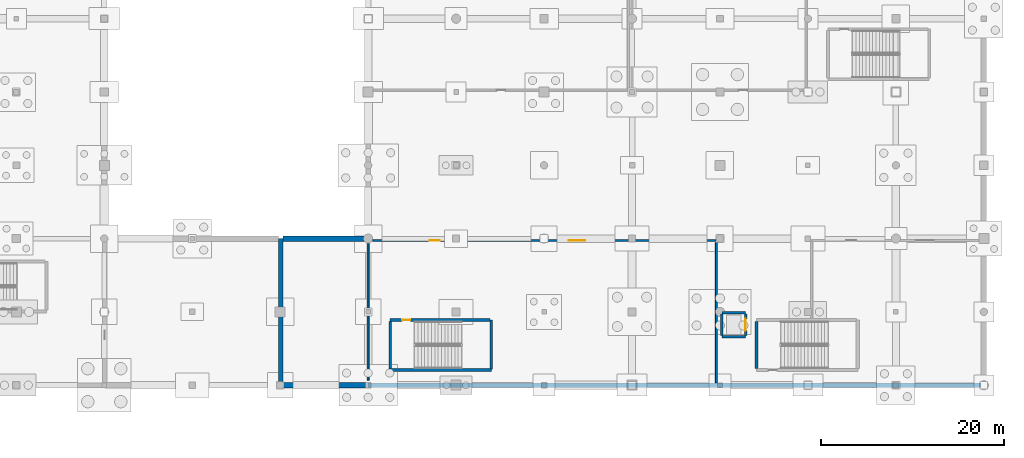
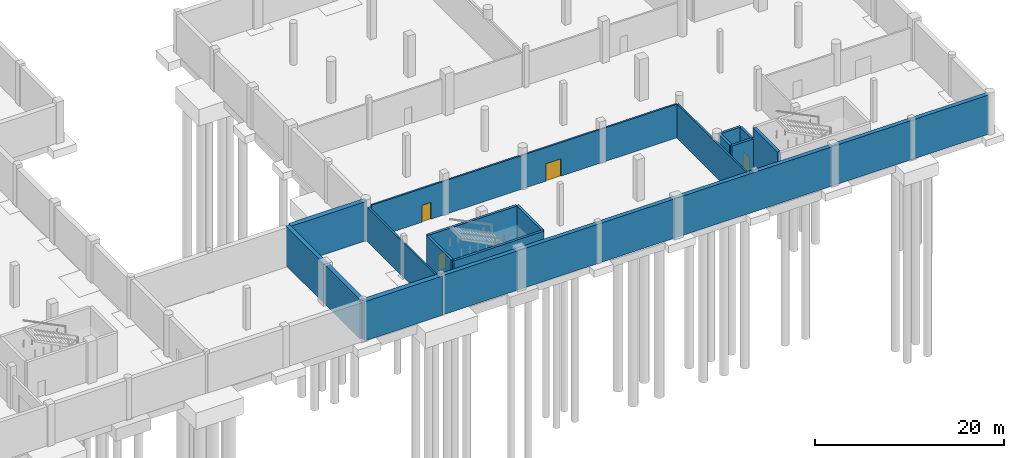
# One storey, part 26 of 44: 16 walls, 4 doors, 4 openings.
"""IFC4 building model written with IfcOpenShell, lengths in metres."""

from ifc_helpers import new_model, si_unit, direction, frame, frame_2d, origin, place, context, subcontext, project, spatial, rectangle, extrude, material, layer, layer_set, type_object, element, fill, save


model = new_model("IFC4")

# Units and contexts
model_context = context("Model", 3, precision=1e-05, world=origin(), true_north=direction((0.0, 1.0)))
body_context = subcontext(model_context, "Body", "Model", "MODEL_VIEW")
ifc_project = project(units=[si_unit("LENGTHUNIT", "METRE"), si_unit("AREAUNIT", "SQUARE_METRE"), si_unit("VOLUMEUNIT", "CUBIC_METRE"), si_unit("PLANEANGLEUNIT", "RADIAN"), si_unit("MASSUNIT", "GRAM", prefix="KILO")], contexts=[model_context])

# Site, building, storey
site_placement = place(None, origin())
site = spatial("IfcSite", under=ifc_project, at=site_placement, CompositionType="ELEMENT")
building_placement = place(site_placement, origin())
building = spatial("IfcBuilding", under=site, at=building_placement, Name="Danafjord Basin Convention Centre", CompositionType="ELEMENT")
storey_placement = place(building_placement, frame((0.0, 0.0, -5.39990234375)))
storey = spatial("IfcBuildingStorey", under=building, at=storey_placement, Name="B1", CompositionType="ELEMENT", Elevation=-5.39990234375)

# Walls
ifc_material_1 = material(Name="Concrete C40/50", Category="concrete")
ifc_layer_1 = layer(ifc_material_1, 0.300048828125)
ifc_layer_set_1 = layer_set([ifc_layer_1], Name="Concrete C40/50")
wall_type_1 = type_object("IfcWallType", Name="WALL-CW-CORE300", PredefinedType="SHEAR", material=ifc_layer_set_1)
wall_1_placement = place(storey_placement, frame((146.39990234375, 9.64990234375, 0.0), z_axis=(0.0, 0.0, 1.0), x_axis=(1.0, 0.0, 0.0)))
element("IfcWall", 1, at=wall_1_placement, inside=storey, type_object=wall_type_1, Name="Harbour Pavilion West Escape Stair core shear wall (south)", PredefinedType="SHEAR", context=body_context, shape_type="SweptSolid", body=[
    extrude(rectangle(XDim=11.0400390625, YDim=0.300048828125, at=frame_2d((5.52001953125, 0.0))), origin(), (0.0, 0.0, 1.0), 5.08984375),
])
wall_2_placement = place(storey_placement, frame((157.43994140625, 9.784912109375, 0.0), z_axis=(0.0, 0.0, 1.0), x_axis=(0.0, 1.0, 0.0)))
element("IfcWall", 2, at=wall_2_placement, inside=storey, type_object=wall_type_1, Name="Harbour Pavilion West Escape Stair core shear wall (east)", PredefinedType="SHEAR", context=body_context, shape_type="SweptSolid", body=[
    extrude(rectangle(XDim=5.3251953125, YDim=0.300048828125, at=frame_2d((2.66259765625, 0.0))), origin(), (0.0, 0.0, 1.0), 5.08984375),
])

# Wall, opening, door
wall_3_placement = place(storey_placement, frame((157.304931640625, 15.110107421875, 0.0), z_axis=(0.0, 0.0, 1.0), x_axis=(-1.0, 0.0, 0.0)))
wall_3 = element("IfcWall", 3, at=wall_3_placement, inside=storey, type_object=wall_type_1, Name="Harbour Pavilion West Escape Stair core shear wall (north)", PredefinedType="SHEAR", context=body_context, shape_type="SweptSolid", body=[
    extrude(rectangle(XDim=10.905029296875, YDim=0.300048828125, at=frame_2d((5.45263671875, 0.0))), origin(), (0.0, 0.0, 1.0), 5.08984375),
])
opening_1_placement = place(wall_3_placement, frame((8.68408203125, 0.0, 0.0)))
opening_1 = element("IfcOpeningElement", 4, at=opening_1_placement, cuts=wall_3, Name="Opening FD-S01", PredefinedType="OPENING", context=body_context, shape_type="SweptSolid", body=[
    extrude(rectangle(XDim=0.909912109375, YDim=2.080078125, at=frame_2d((0.455078125, 1.0400390625))), frame((0.0, 0.159912109375, 0.0), z_axis=(0.0, -1.0, 0.0), x_axis=(1.0, 0.0, 0.0)), (0.0, 0.0, 1.0), 0.320068359375),
])
ifc_material_2 = material(Name="Powder-coated steel and Nordic oak", Category="steel")
door_type_1 = type_object("IfcDoorType", Name="DOOR-FD-S01", OperationType="NOTDEFINED", PredefinedType="DOOR", material=ifc_material_2)
door_1_placement = place(opening_1_placement, origin())
door_1 = element("IfcDoor", 5, at=door_1_placement, inside=storey, type_object=door_type_1, Name="Harbour Pavilion West Escape Stair B1 Fire Exit Door", OperationType="SINGLE_SWING_RIGHT", OverallHeight=2.080078125, OverallWidth=0.909912109375, PredefinedType="DOOR", context=body_context, shape_type="SweptSolid", body=[
    extrude(rectangle(XDim=0.909912109375, YDim=2.080078125, at=frame_2d((0.455078125, 1.0400390625))), frame((0.0, 0.02490234375, 0.0), z_axis=(0.0, -1.0, 0.0), x_axis=(1.0, 0.0, 0.0)), (0.0, 0.0, 1.0), 0.050048828125),
])
fill(opening_1, door_1)

# Walls
wall_4_placement = place(storey_placement, frame((146.39990234375, 14.97509765625, 0.0), z_axis=(0.0, 0.0, 1.0), x_axis=(0.0, -1.0, 0.0)))
element("IfcWall", 6, at=wall_4_placement, inside=storey, type_object=wall_type_1, Name="Harbour Pavilion West Escape Stair core shear wall (west)", PredefinedType="SHEAR", context=body_context, shape_type="SweptSolid", body=[
    extrude(rectangle(XDim=5.190185546875, YDim=0.300048828125, at=frame_2d((2.59521484375, 0.0))), origin(), (0.0, 0.0, 1.0), 5.08984375),
])
for number, where, z_axis, x_axis, name in (
    (7, (185.199951171875, 15.89990234375, 0.0), (0.0, 0.0, 1.0), (-1.0, 0.0, 0.0), "Lift LF-P06 shaft shear wall"),
    (8, (182.60009765625, 13.300048828125, 0.0), (0.0, 0.0, 1.0), (1.0, 0.0, 0.0), "Lift LF-P06 shaft shear wall"),
):
    element("IfcWall", number, at=place(storey_placement, frame(where, z_axis=z_axis, x_axis=x_axis)), inside=storey, type_object=wall_type_1, Name=name, PredefinedType="SHEAR", context=body_context, shape_type="SweptSolid", body=[
        extrude(rectangle(XDim=2.599853515625, YDim=0.300048828125, at=frame_2d((1.2998046875, 0.0))), origin(), (0.0, 0.0, 1.0), 5.08984375),
    ])

# Wall, opening, door
wall_5_placement = place(storey_placement, frame((185.199951171875, 13.43505859375, 0.0), z_axis=(0.0, 0.0, 1.0), x_axis=(0.0, 1.0, 0.0)))
wall_5 = element("IfcWall", 9, at=wall_5_placement, inside=storey, type_object=wall_type_1, Name="Lift LF-P06 shaft shear wall", PredefinedType="SHEAR", context=body_context, shape_type="SweptSolid", body=[
    extrude(rectangle(XDim=2.329833984375, YDim=0.300048828125, at=frame_2d((1.1650390625, 0.0))), origin(), (0.0, 0.0, 1.0), 5.08984375),
])
opening_2_placement = place(wall_5_placement, frame((0.514892578125, 0.0, 0.0)))
opening_2 = element("IfcOpeningElement", 10, at=opening_2_placement, cuts=wall_5, Name="Opening LD-P02", PredefinedType="OPENING", context=body_context, shape_type="SweptSolid", body=[
    extrude(rectangle(XDim=1.300048828125, YDim=2.219970703125, at=frame_2d((0.64990234375, 1.10986328125))), frame((0.0, 0.159912109375, 0.0), z_axis=(0.0, -1.0, 0.0), x_axis=(1.0, 0.0, 0.0)), (0.0, 0.0, 1.0), 0.320068359375),
])
ifc_material_3 = material(Name="Brushed stainless steel and acoustic laminated glass", Category="steel")
door_type_2 = type_object("IfcDoorType", Name="DOOR-LD-P02", OperationType="DOUBLE_DOOR_SLIDING", PredefinedType="DOOR", material=ifc_material_3)
door_2_placement = place(opening_2_placement, origin())
door_2 = element("IfcDoor", 11, at=door_2_placement, inside=storey, type_object=door_type_2, Name="Lift LF-P06 B1 Landing Door", OperationType="DOUBLE_DOOR_SLIDING", OverallHeight=2.219970703125, OverallWidth=1.300048828125, PredefinedType="DOOR", context=body_context, shape_type="SweptSolid", body=[
    extrude(rectangle(XDim=1.300048828125, YDim=2.219970703125, at=frame_2d((0.64990234375, 1.10986328125))), frame((0.0, 0.02490234375, 0.0), z_axis=(0.0, -1.0, 0.0), x_axis=(1.0, 0.0, 0.0)), (0.0, 0.0, 1.0), 0.050048828125),
])
fill(opening_2, door_2)

# Walls
wall_6_placement = place(storey_placement, frame((182.60009765625, 15.764892578125, 0.0), z_axis=(0.0, 0.0, 1.0), x_axis=(0.0, -1.0, 0.0)))
element("IfcWall", 12, at=wall_6_placement, inside=storey, type_object=wall_type_1, Name="Lift LF-P06 shaft shear wall", PredefinedType="SHEAR", context=body_context, shape_type="SweptSolid", body=[
    extrude(rectangle(XDim=2.329833984375, YDim=0.300048828125, at=frame_2d((1.1650390625, 0.0))), origin(), (0.0, 0.0, 1.0), 5.08984375),
])
ifc_material_4 = material(Name="Concrete C45/55", Category="concrete")
ifc_layer_2 = layer(ifc_material_4, 0.35009765625)
ifc_layer_set_2 = layer_set([ifc_layer_2], Name="Concrete C45/55")
wall_type_2 = type_object("IfcWallType", Name="WALL-CW-CORE350", PredefinedType="SHEAR", material=ifc_layer_set_2)
wall_7_placement = place(storey_placement, frame((186.39990234375, 14.949951171875, 0.0), z_axis=(0.0, 0.0, 1.0), x_axis=(0.0, -1.0, 0.0)))
element("IfcWall", 13, at=wall_7_placement, inside=storey, type_object=wall_type_2, Name="Harbour Pavilion Core Stair 1 core shear wall (west)", PredefinedType="SHEAR", context=body_context, shape_type="SweptSolid", body=[
    extrude(rectangle(XDim=5.139892578125, YDim=0.35009765625, at=frame_2d((2.56982421875, 0.0))), origin(), (0.0, 0.0, 1.0), 5.08984375),
])
ifc_layer_3 = layer(ifc_material_1, 0.5)
ifc_layer_set_3 = layer_set([ifc_layer_3], Name="Concrete C40/50")
wall_type_3 = type_object("IfcWallType", Name="WALL-EW-RET500", PredefinedType="SHEAR", material=ifc_layer_set_3)
wall_8_placement = place(storey_placement, frame((210.9150390625, 8.0, 0.0), z_axis=(0.0, 0.0, 1.0), x_axis=(-1.0, 0.0, 0.0)))
element("IfcWall", 14, at=wall_8_placement, inside=storey, type_object=wall_type_3, Name="B1 waterproofed basement retaining wall 8", PredefinedType="SHEAR", context=body_context, shape_type="SweptSolid", body=[
    extrude(rectangle(XDim=66.9150390625, YDim=0.5, at=frame_2d((33.45751953125, 0.0))), origin(), (0.0, 0.0, 1.0), 5.08984375),
])
wall_9_placement = place(storey_placement, frame((134.449951171875, 8.284912109375, 0.0), z_axis=(0.0, 0.0, 1.0), x_axis=(0.0, 1.0, 0.0)))
element("IfcWall", 15, at=wall_9_placement, inside=storey, type_object=wall_type_3, Name="B1 waterproofed basement retaining wall 10", PredefinedType="SHEAR", context=body_context, shape_type="SweptSolid", body=[
    extrude(rectangle(XDim=15.715087890625, YDim=0.5, at=frame_2d((7.857421875, 0.0))), origin(), (0.0, 0.0, 1.0), 5.10986328125),
])
ifc_layer_4 = layer(ifc_material_1, 0.60009765625)
ifc_layer_set_4 = layer_set([ifc_layer_4], Name="Concrete C40/50")
wall_type_4 = type_object("IfcWallType", Name="WALL-EW-RET600", PredefinedType="SHEAR", material=ifc_layer_set_4)
wall_10_placement = place(storey_placement, frame((144.0, 8.0, 0.0), z_axis=(0.0, 0.0, 1.0), x_axis=(-1.0, 0.0, 0.0)))
element("IfcWall", 16, at=wall_10_placement, inside=storey, type_object=wall_type_4, Name="B1 waterproofed basement retaining wall 9", PredefinedType="SHEAR", context=body_context, shape_type="SweptSolid", body=[
    extrude(rectangle(XDim=9.550048828125, YDim=0.60009765625, at=frame_2d((4.77490234375, 0.0))), origin(), (0.0, 0.0, 1.0), 5.08984375),
])
wall_11_placement = place(storey_placement, frame((134.68505859375, 24.0, 0.0), z_axis=(0.0, 0.0, 1.0), x_axis=(1.0, 0.0, 0.0)))
element("IfcWall", 17, at=wall_11_placement, inside=storey, type_object=wall_type_4, Name="B1 waterproofed basement retaining wall 11", PredefinedType="SHEAR", context=body_context, shape_type="SweptSolid", body=[
    extrude(rectangle(XDim=9.31494140625, YDim=0.60009765625, at=frame_2d((4.657470703125, 0.0))), origin(), (0.0, 0.0, 1.0), 5.08984375),
])

# Wall, openings, doors
ifc_material_5 = material(Name="Concrete C35/45", Category="concrete")
ifc_layer_5 = layer(ifc_material_5, 0.205078125)
ifc_layer_set_5 = layer_set([ifc_layer_5], Name="Concrete C35/45")
wall_type_5 = type_object("IfcWallType", Name="WALL-W-COMP205", PredefinedType="SOLIDWALL", material=ifc_layer_set_5)
wall_12_placement = place(storey_placement, frame((181.9599609375, 23.800048828125, 0.0), z_axis=(0.0, 0.0, 1.0), x_axis=(-1.0, 0.0, 0.0)))
wall_12 = element("IfcWall", 18, at=wall_12_placement, inside=storey, type_object=wall_type_5, Name="Central Banquet Production Kitchen north partition", PredefinedType="SOLIDWALL", context=body_context, shape_type="SweptSolid", body=[
    extrude(rectangle(XDim=37.43994140625, YDim=0.205078125, at=frame_2d((18.719970703125, 0.0))), origin(), (0.0, 0.0, 1.0), 4.35986328125),
])
opening_3_placement = place(wall_12_placement, frame((14.248046875, 0.0, 0.0)))
opening_3 = element("IfcOpeningElement", 19, at=opening_3_placement, cuts=wall_12, Name="Opening FD-D04", PredefinedType="OPENING", context=body_context, shape_type="SweptSolid", body=[
    extrude(rectangle(XDim=1.820068359375, YDim=2.260009765625, at=frame_2d((0.91015625, 1.1298828125))), frame((0.0, 0.112548828125, 0.0), z_axis=(0.0, -1.0, 0.0), x_axis=(1.0, 0.0, 0.0)), (0.0, 0.0, 1.0), 0.22509765625),
])
opening_4_placement = place(wall_12_placement, frame((30.169921875, 0.0, 0.0)))
opening_4 = element("IfcOpeningElement", 20, at=opening_4_placement, cuts=wall_12, Name="Opening FD-S07", PredefinedType="OPENING", context=body_context, shape_type="SweptSolid", body=[
    extrude(rectangle(XDim=1.090087890625, YDim=2.179931640625, at=frame_2d((0.544921875, 1.08984375))), frame((0.0, 0.112548828125, 0.0), z_axis=(0.0, -1.0, 0.0), x_axis=(1.0, 0.0, 0.0)), (0.0, 0.0, 1.0), 0.22509765625),
])
door_type_3 = type_object("IfcDoorType", Name="DOOR-FD-D04", OperationType="DOUBLE_DOOR_SINGLE_SWING", PredefinedType="DOOR", material=ifc_material_3)
door_3_placement = place(opening_3_placement, origin())
door_3 = element("IfcDoor", 21, at=door_3_placement, inside=storey, type_object=door_type_3, Name="Central Banquet Production Kitchen Entrance Door", OperationType="DOUBLE_DOOR_SINGLE_SWING", OverallHeight=2.260009765625, OverallWidth=1.820068359375, PredefinedType="DOOR", context=body_context, shape_type="SweptSolid", body=[
    extrude(rectangle(XDim=1.820068359375, YDim=2.260009765625, at=frame_2d((0.91015625, 1.1298828125))), frame((0.0, 0.02490234375, 0.0), z_axis=(0.0, -1.0, 0.0), x_axis=(1.0, 0.0, 0.0)), (0.0, 0.0, 1.0), 0.050048828125),
])
fill(opening_3, door_3)
door_type_4 = type_object("IfcDoorType", Name="DOOR-FD-S07", OperationType="NOTDEFINED", PredefinedType="DOOR", material=ifc_material_2)
door_4_placement = place(opening_4_placement, origin())
door_4 = element("IfcDoor", 22, at=door_4_placement, inside=storey, type_object=door_type_4, Name="Central Banquet Production Kitchen Secondary Exit Door", OperationType="SINGLE_SWING_RIGHT", OverallHeight=2.179931640625, OverallWidth=1.090087890625, PredefinedType="DOOR", context=body_context, shape_type="SweptSolid", body=[
    extrude(rectangle(XDim=1.090087890625, YDim=2.179931640625, at=frame_2d((0.544921875, 1.08984375))), frame((0.0, 0.02490234375, 0.0), z_axis=(0.0, -1.0, 0.0), x_axis=(1.0, 0.0, 0.0)), (0.0, 0.0, 1.0), 0.050048828125),
])
fill(opening_4, door_4)

# Walls
wall_13_placement = place(storey_placement, frame((182.0, 8.25390625, 0.0), z_axis=(0.0, 0.0, 1.0), x_axis=(0.0, 1.0, 0.0)))
element("IfcWall", 23, at=wall_13_placement, inside=storey, type_object=wall_type_5, Name="Central Banquet Production Kitchen east partition", PredefinedType="SOLIDWALL", context=body_context, shape_type="SweptSolid", body=[
    extrude(rectangle(XDim=15.319580078125, YDim=0.205078125, at=frame_2d((7.65966796875, 0.0))), origin(), (0.0, 0.0, 1.0), 4.4599609375),
])
wall_14_placement = place(storey_placement, frame((144.0, 23.4560546875, 0.0), z_axis=(0.0, 0.0, 1.0), x_axis=(0.0, -1.0, 0.0)))
element("IfcWall", 24, at=wall_14_placement, inside=storey, type_object=wall_type_5, Name="Central Banquet Production Kitchen west partition", PredefinedType="SOLIDWALL", context=body_context, shape_type="SweptSolid", body=[
    extrude(rectangle(XDim=14.89794921875, YDim=0.205078125, at=frame_2d((7.448974609375, 0.0))), origin(), (0.0, 0.0, 1.0), 4.469970703125),
])

save(model, "model.ifc")
